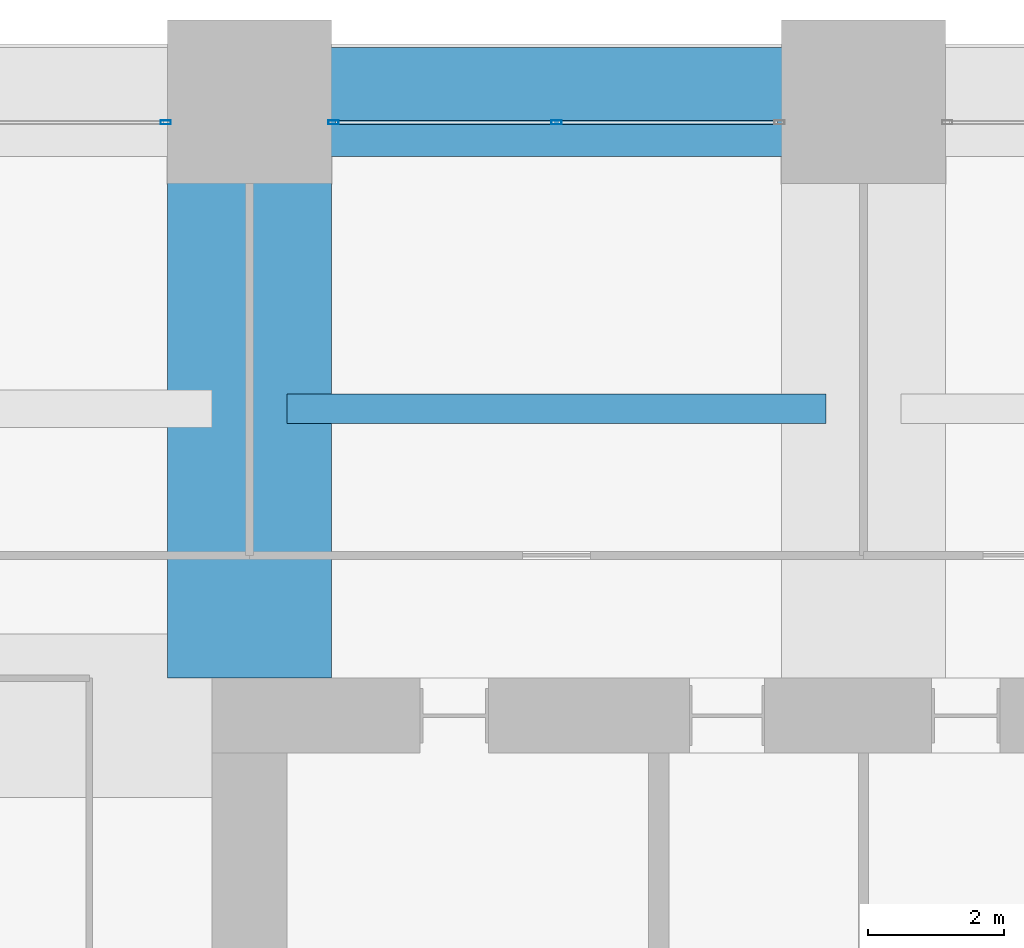
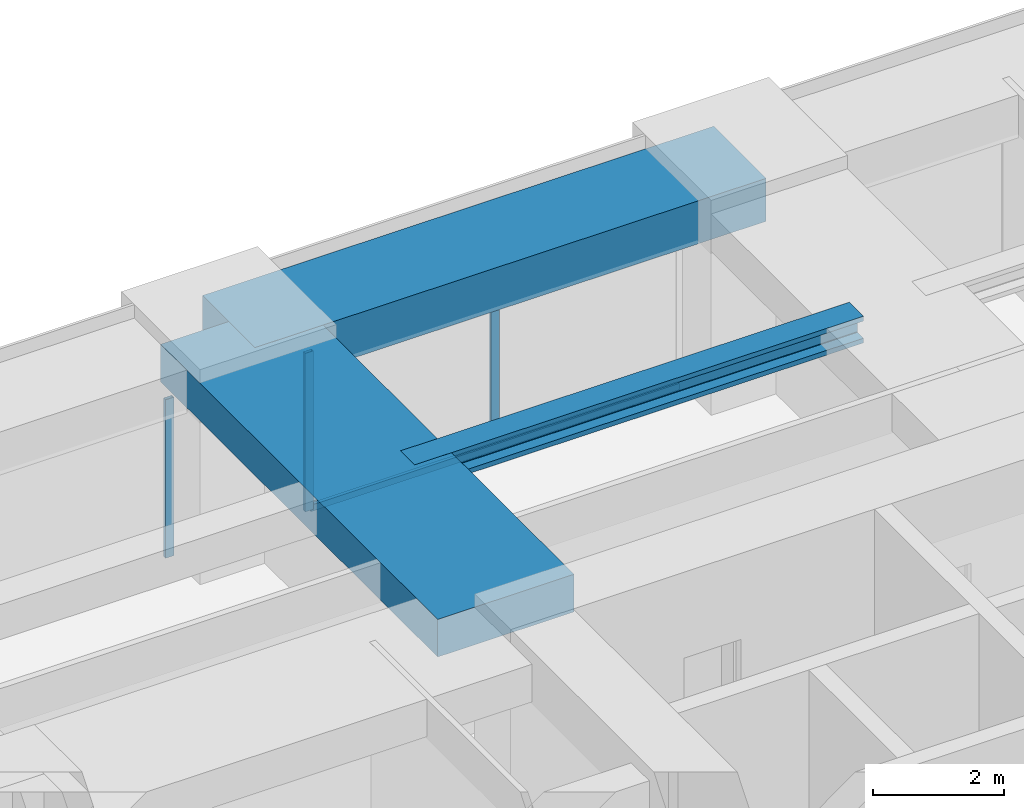
# One storey, part 28 of 43: 4 members, 3 beams, 2 elements without a shape of their own.
"""IFC4 building model written with IfcOpenShell, lengths in metres."""

from ifc_helpers import new_model, si_unit, direction, frame, origin, origin_2d, place, context, subcontext, project, spatial, rectangle, hollow_rectangle, i_section, extrude, material, material_profile, profile_set, type_object, element, aggregate, save


model = new_model("IFC4")

# Units and contexts
model_context = context("Model", 3, precision=1e-05, world=origin(), true_north=direction((0.0, 1.0)))
body_context = subcontext(model_context, "Body", "Model", "MODEL_VIEW")
ifc_project = project(units=[si_unit("LENGTHUNIT", "METRE"), si_unit("AREAUNIT", "SQUARE_METRE"), si_unit("VOLUMEUNIT", "CUBIC_METRE"), si_unit("PLANEANGLEUNIT", "RADIAN"), si_unit("MASSUNIT", "GRAM", prefix="KILO")], contexts=[model_context])

# Site, building, storey
site_placement = place(None, origin())
site = spatial("IfcSite", under=ifc_project, at=site_placement, CompositionType="ELEMENT")
building_placement = place(site_placement, origin())
building = spatial("IfcBuilding", under=site, at=building_placement, Name="Zorevar Civic Tower", CompositionType="ELEMENT")
storey_placement = place(building_placement, frame((0.0, 0.0, 145.0)))
storey = spatial("IfcBuildingStorey", under=building, at=storey_placement, Name="L35", CompositionType="ELEMENT", Elevation=145.0)

# Beam
ifc_material_1 = material(Name="Concrete C50/60", Category="concrete")
ifc_material_profile_1 = material_profile(ifc_material_1, rectangle(XDim=2.39990234375, YDim=0.699951171875, at=origin_2d()), Name="RC 2400x700")
ifc_profile_set_1 = profile_set([ifc_material_profile_1], Name="Concrete C50/60")
beam_type_1 = type_object("IfcBeamType", Name="Beam RC 2400x700", PredefinedType="BEAM", material=ifc_profile_set_1)
beam_1_placement = place(storey_placement, frame((18.0, 36.550048828125, 3.39990234375), z_axis=(0.0, 1.0, 0.0), x_axis=(-1.0, 0.0, 0.0)))
element("IfcBeam", 1, at=beam_1_placement, inside=storey, type_object=beam_type_1, Name="Girder L36", PredefinedType="BEAM", context=body_context, shape_type="SweptSolid", body=[
    extrude(rectangle(XDim=2.39990234375, YDim=0.699951171875, at=origin_2d()), origin(), (0.0, 0.0, 1.0), 8.449951171875),
])

# Curtain wall, member
ifc_material_2 = material(Name="Dark grey solar-control glass in black aluminium frame", Category="aluminium")
curtain_wall_type = type_object("IfcCurtainWallType", Name="Curtain wall CW3 mid zone", PredefinedType="NOTDEFINED", material=ifc_material_2)
curtain_wall_1_placement = place(storey_placement, origin())
curtain_wall_1 = element("IfcCurtainWall", 2, at=curtain_wall_1_placement, inside=storey, type_object=curtain_wall_type, Name="CW3 L35", PredefinedType="NOTDEFINED")
ifc_material_3 = material(Name="Aluminium, black anodised", Category="aluminium")
ifc_material_profile_2 = material_profile(ifc_material_3, hollow_rectangle(XDim=0.06005859375, YDim=0.14990234375, WallThickness=0.00390625, at=origin_2d()), Name="AL 150x60x4")
ifc_profile_set_2 = profile_set([ifc_material_profile_2], Name="Aluminium, black anodised")
member_type_1 = type_object("IfcMemberType", Name="CW3 mullion AL 150x60x4", PredefinedType="MULLION", material=ifc_profile_set_2)
member_1_placement = place(storey_placement, frame((16.77001953125, 44.699951171875, 0.0), z_axis=(0.0, 0.0, 1.0), x_axis=(0.0, 1.0, 0.0)))
member_1 = element("IfcMember", 3, at=member_1_placement, type_object=member_type_1, Name="CW3 mullion 3", PredefinedType="MULLION", context=body_context, shape_type="SweptSolid", body=[
    extrude(hollow_rectangle(XDim=0.06005859375, YDim=0.14990234375, WallThickness=0.00390625, at=origin_2d()), origin(), (0.0, 0.0, 1.0), 2.949951171875),
])
aggregate(curtain_wall_1, [member_1])

# Curtain wall, members
curtain_wall_2_placement = place(storey_placement, origin())
curtain_wall_2 = element("IfcCurtainWall", 4, at=curtain_wall_2_placement, inside=storey, type_object=curtain_wall_type, Name="CW3 L35", PredefinedType="NOTDEFINED")
member_2_placement = place(storey_placement, frame((19.22998046875, 44.699951171875, 0.0), z_axis=(0.0, 0.0, 1.0), x_axis=(0.0, 1.0, 0.0)))
member_2 = element("IfcMember", 5, at=member_2_placement, type_object=member_type_1, Name="CW3 mullion 1", PredefinedType="MULLION", context=body_context, shape_type="SweptSolid", body=[
    extrude(hollow_rectangle(XDim=0.06005859375, YDim=0.14990234375, WallThickness=0.00390625, at=origin_2d()), origin(), (0.0, 0.0, 1.0), 2.949951171875),
])
member_3_placement = place(storey_placement, frame((22.5, 44.699951171875, 0.06005859375), z_axis=(0.0, 0.0, 1.0), x_axis=(0.0, 1.0, 0.0)))
member_3 = element("IfcMember", 6, at=member_3_placement, type_object=member_type_1, Name="CW3 mullion 2", PredefinedType="MULLION", context=body_context, shape_type="SweptSolid", body=[
    extrude(hollow_rectangle(XDim=0.06005859375, YDim=0.14990234375, WallThickness=0.00390625, at=origin_2d()), origin(), (0.0, 0.0, 1.0), 2.889892578125),
])
ifc_material_4 = material(Name="Aluminium, black anodised", Category="aluminium")
ifc_material_profile_3 = material_profile(ifc_material_4, hollow_rectangle(XDim=0.06005859375, YDim=0.1201171875, WallThickness=0.0029296875, at=origin_2d()), Name="AL 120x60x3")
ifc_profile_set_3 = profile_set([ifc_material_profile_3], Name="Aluminium, black anodised")
member_type_2 = type_object("IfcMemberType", Name="CW3 transom AL 120x60x3", PredefinedType="USERDEFINED", material=ifc_profile_set_3)
member_4_placement = place(storey_placement, frame((19.260009765625, 44.699951171875, 0.030029296875), z_axis=(1.0, 0.0, 0.0), x_axis=(0.0, 1.0, 0.0)))
member_4 = element("IfcMember", 7, at=member_4_placement, type_object=member_type_2, Name="CW3 sill transom", ObjectType="TRANSOM", PredefinedType="USERDEFINED", context=body_context, shape_type="SweptSolid", body=[
    extrude(hollow_rectangle(XDim=0.06005859375, YDim=0.1201171875, WallThickness=0.0029296875, at=origin_2d()), origin(), (0.0, 0.0, 1.0), 6.47998046875),
])
aggregate(curtain_wall_2, [member_2, member_3, member_4])

# Beams
ifc_material_5 = material(Name="Steel S460M (HISTAR 460)", Category="steel")
ifc_material_profile_4 = material_profile(ifc_material_5, i_section(OverallWidth=0.431884765625, OverallDepth=0.498046875, WebThickness=0.0556640625, FlangeThickness=0.0888671875, FilletRadius=0.014892578125, at=origin_2d()), Name="HD 400x744")
ifc_profile_set_4 = profile_set([ifc_material_profile_4], Name="Steel S460M (HISTAR 460)")
beam_type_2 = type_object("IfcBeamType", Name="Core bay beam HD 400x744", PredefinedType="BEAM", material=ifc_profile_set_4)
beam_2_placement = place(storey_placement, frame((18.550048828125, 40.5, 3.5009765625), z_axis=(1.0, 0.0, 0.0), x_axis=(0.0, 1.0, 0.0)))
element("IfcBeam", 8, at=beam_2_placement, inside=storey, type_object=beam_type_2, Name="Secondary beam L36", PredefinedType="BEAM", context=body_context, shape_type="SweptSolid", body=[
    extrude(i_section(OverallWidth=0.431884765625, OverallDepth=0.498046875, WebThickness=0.0556640625, FlangeThickness=0.0888671875, FilletRadius=0.014892578125, at=origin_2d()), origin(), (0.0, 0.0, 1.0), 7.89990234375),
])
ifc_material_6 = material(Name="Concrete C50/60", Category="concrete")
ifc_material_profile_5 = material_profile(ifc_material_6, rectangle(XDim=1.60009765625, YDim=0.800048828125, at=origin_2d()), Name="RC 1600x800")
ifc_profile_set_5 = profile_set([ifc_material_profile_5], Name="Concrete C50/60")
beam_type_3 = type_object("IfcBeamType", Name="Edge beam RC 1600x800", PredefinedType="SPANDREL", material=ifc_profile_set_5)
beam_3_placement = place(storey_placement, frame((18.0, 45.0, 3.35009765625), z_axis=(1.0, 0.0, 0.0), x_axis=(0.0, 1.0, 0.0)))
element("IfcBeam", 9, at=beam_3_placement, inside=storey, type_object=beam_type_3, Name="Edge beam L36", PredefinedType="SPANDREL", context=body_context, shape_type="SweptSolid", body=[
    extrude(rectangle(XDim=1.60009765625, YDim=0.800048828125, at=origin_2d()), origin(), (0.0, 0.0, 1.0), 9.0),
])

save(model, "model.ifc")
